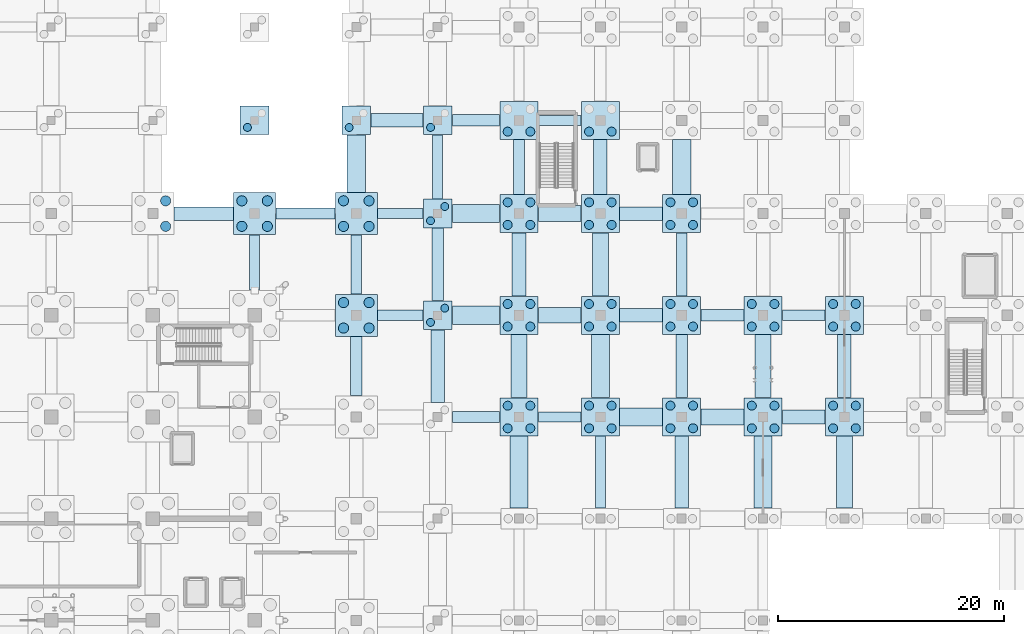
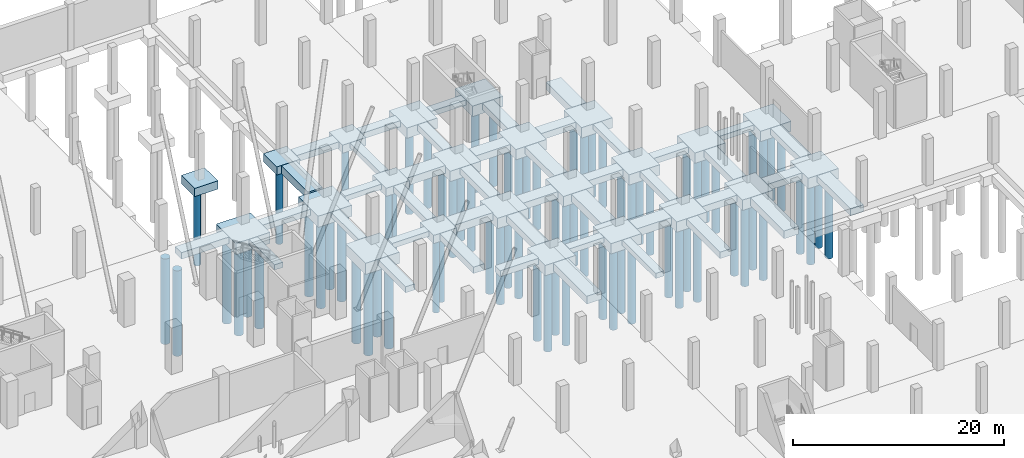
# One storey, part 7 of 42: 77 piles, 66 footings.
"""IFC4 building model written with IfcOpenShell, lengths in metres."""

from ifc_helpers import new_model, si_unit, direction, frame, origin, origin_2d, place, context, subcontext, project, spatial, rectangle, circle, extrude, material, material_profile, profile_set, type_object, element, save


model = new_model("IFC4")

# Units and contexts
model_context = context("Model", 3, precision=1e-05, world=origin(), true_north=direction((0.0, 1.0)))
body_context = subcontext(model_context, "Body", "Model", "MODEL_VIEW")
ifc_project = project(units=[si_unit("LENGTHUNIT", "METRE"), si_unit("AREAUNIT", "SQUARE_METRE"), si_unit("VOLUMEUNIT", "CUBIC_METRE"), si_unit("PLANEANGLEUNIT", "RADIAN"), si_unit("MASSUNIT", "GRAM", prefix="KILO")], contexts=[model_context])

# Site, building, storey
site_placement = place(None, origin())
site = spatial("IfcSite", under=ifc_project, at=site_placement, CompositionType="ELEMENT")
building_placement = place(site_placement, origin())
building = spatial("IfcBuilding", under=site, at=building_placement, Name="Sundgate Opera House", CompositionType="ELEMENT")
storey_placement = place(building_placement, frame((0.0, 0.0, -5.39990234375)))
storey = spatial("IfcBuildingStorey", under=building, at=storey_placement, Name="B01", CompositionType="ELEMENT", Elevation=-5.39990234375)

# Footings
ifc_material_1 = material(Name="Concrete C40/50", Category="concrete")
footing_type_1 = type_object("IfcFootingType", Name="FT-PC-2540x2540x950", PredefinedType="PILE_CAP", material=ifc_material_1)
for number, where, z_axis, x_axis, name in (
    (1, (72.0, 95.25, -0.9501953125), (0.0, 0.0, 1.0), (1.0, 0.0, 0.0), "Pile Cap F0110"),
    (2, (81.0, 95.25, -1.60009765625), (0.0, 0.0, 1.0), (1.0, 0.0, 0.0), "Pile Cap F0125"),
    (3, (88.199951171875, 78.0, -1.60009765625), (0.0, 0.0, 1.0), (1.0, 0.0, 0.0), "Pile Cap F0138"),
    (4, (88.199951171875, 87.0, -1.60009765625), (0.0, 0.0, 1.0), (1.0, 0.0, 0.0), "Pile Cap F0139"),
    (5, (88.199951171875, 95.25, -1.60009765625), (0.0, 0.0, 1.0), (1.0, 0.0, 0.0), "Pile Cap F0140"),
):
    element("IfcFooting", number, at=place(storey_placement, frame(where, z_axis=z_axis, x_axis=x_axis)), inside=storey, type_object=footing_type_1, Name=name, PredefinedType="PILE_CAP", context=body_context, shape_type="SweptSolid", body=[
        extrude(rectangle(XDim=2.5400390625, YDim=2.5400390625, at=origin_2d()), origin(), (0.0, 0.0, 1.0), 0.949951171875),
    ])
ifc_material_2 = material(Name="Concrete C40/50", Category="concrete")
footing_type_2 = type_object("IfcFootingType", Name="FT-PC-3360x3360x1200", PredefinedType="PILE_CAP", material=ifc_material_2)
for number, where, z_axis, x_axis, name in (
    (6, (95.39990234375, 69.0, -2.0), (0.0, 0.0, 1.0), (1.0, 0.0, 0.0), "Pile Cap F0152"),
    (7, (95.39990234375, 78.0, -2.0), (0.0, 0.0, 1.0), (1.0, 0.0, 0.0), "Pile Cap F0153"),
    (8, (95.39990234375, 87.0, -2.0), (0.0, 0.0, 1.0), (1.0, 0.0, 0.0), "Pile Cap F0154"),
    (9, (95.39990234375, 95.25, -2.0), (0.0, 0.0, 1.0), (1.0, 0.0, 0.0), "Pile Cap F0155"),
    (10, (102.60009765625, 69.0, -2.0), (0.0, 0.0, 1.0), (1.0, 0.0, 0.0), "Pile Cap F0167"),
    (11, (102.60009765625, 78.0, -2.0), (0.0, 0.0, 1.0), (1.0, 0.0, 0.0), "Pile Cap F0168"),
    (12, (102.60009765625, 87.0, -2.0), (0.0, 0.0, 1.0), (1.0, 0.0, 0.0), "Pile Cap F0169"),
    (13, (102.60009765625, 95.25, -2.0), (0.0, 0.0, 1.0), (1.0, 0.0, 0.0), "Pile Cap F0170"),
    (14, (109.800048828125, 69.0, -2.0), (0.0, 0.0, 1.0), (1.0, 0.0, 0.0), "Pile Cap F0182"),
    (15, (109.800048828125, 78.0, -2.0), (0.0, 0.0, 1.0), (1.0, 0.0, 0.0), "Pile Cap F0183"),
    (16, (109.800048828125, 87.0, -2.0), (0.0, 0.0, 1.0), (1.0, 0.0, 0.0), "Pile Cap F0184"),
    (17, (117.0, 69.0, -2.0), (0.0, 0.0, 1.0), (1.0, 0.0, 0.0), "Pile Cap F0197"),
    (18, (117.0, 78.0, -2.0), (0.0, 0.0, 1.0), (1.0, 0.0, 0.0), "Pile Cap F0198"),
    (19, (124.199951171875, 69.0, -2.0), (0.0, 0.0, 1.0), (1.0, 0.0, 0.0), "Pile Cap F0211"),
    (20, (124.199951171875, 78.0, -2.0), (0.0, 0.0, 1.0), (1.0, 0.0, 0.0), "Pile Cap F0212"),
):
    element("IfcFooting", number, at=place(storey_placement, frame(where, z_axis=z_axis, x_axis=x_axis)), inside=storey, type_object=footing_type_2, Name=name, PredefinedType="PILE_CAP", context=body_context, shape_type="SweptSolid", body=[
        extrude(rectangle(XDim=3.360107421875, YDim=3.360107421875, at=origin_2d()), origin(), (0.0, 0.0, 1.0), 1.199951171875),
    ])
ifc_material_3 = material(Name="Concrete C40/50", Category="concrete")
footing_type_3 = type_object("IfcFootingType", Name="FT-PC-3720x3720x1300", PredefinedType="PILE_CAP", material=ifc_material_3)
for number, where, z_axis, x_axis, name in (
    (21, (72.0, 87.0, -2.10009765625), (0.0, 0.0, 1.0), (1.0, 0.0, 0.0), "Pile Cap F0109"),
    (22, (81.0, 78.0, -2.10009765625), (0.0, 0.0, 1.0), (1.0, 0.0, 0.0), "Pile Cap F0123"),
    (23, (81.0, 87.0, -2.10009765625), (0.0, 0.0, 1.0), (1.0, 0.0, 0.0), "Pile Cap F0124"),
):
    element("IfcFooting", number, at=place(storey_placement, frame(where, z_axis=z_axis, x_axis=x_axis)), inside=storey, type_object=footing_type_3, Name=name, PredefinedType="PILE_CAP", context=body_context, shape_type="SweptSolid", body=[
        extrude(rectangle(XDim=3.719970703125, YDim=3.719970703125, at=origin_2d()), origin(), (0.0, 0.0, 1.0), 1.300048828125),
    ])
ifc_material_4 = material(Name="Concrete C35/45", Category="concrete")
footing_type_4 = type_object("IfcFootingType", Name="FT-STR-1000x700", PredefinedType="STRIP_FOOTING", material=ifc_material_4)
footing_1_placement = place(storey_placement, frame((81.0, 73.5, -1.5), z_axis=(0.0, 0.0, 1.0), x_axis=(1.0, 0.0, 0.0)))
element("IfcFooting", 24, at=footing_1_placement, inside=storey, type_object=footing_type_4, Name="Strip Footing F0402", PredefinedType="STRIP_FOOTING", context=body_context, shape_type="SweptSolid", body=[
    extrude(rectangle(XDim=1.0, YDim=5.22998046875, at=origin_2d()), origin(), (0.0, 0.0, 1.0), 0.699951171875),
])
footing_2_placement = place(storey_placement, frame((88.199951171875, 82.5, -1.35009765625), z_axis=(0.0, 0.0, 1.0), x_axis=(1.0, 0.0, 0.0)))
element("IfcFooting", 25, at=footing_2_placement, inside=storey, type_object=footing_type_4, Name="Strip Footing F0417", PredefinedType="STRIP_FOOTING", context=body_context, shape_type="SweptSolid", body=[
    extrude(rectangle(XDim=1.0, YDim=6.409912109375, at=origin_2d()), origin(), (0.0, 0.0, 1.0), 0.699951171875),
])
footing_3_placement = place(storey_placement, frame((95.39990234375, 91.125, -1.5), z_axis=(0.0, 0.0, 1.0), x_axis=(1.0, 0.0, 0.0)))
element("IfcFooting", 26, at=footing_3_placement, inside=storey, type_object=footing_type_4, Name="Strip Footing F0432", PredefinedType="STRIP_FOOTING", context=body_context, shape_type="SweptSolid", body=[
    extrude(rectangle(XDim=1.0, YDim=4.840087890625, at=origin_2d()), origin(), (0.0, 0.0, 1.0), 0.699951171875),
])
footing_4_placement = place(storey_placement, frame((109.800048828125, 73.5, -1.5), z_axis=(0.0, 0.0, 1.0), x_axis=(1.0, 0.0, 0.0)))
element("IfcFooting", 27, at=footing_4_placement, inside=storey, type_object=footing_type_4, Name="Strip Footing F0457", PredefinedType="STRIP_FOOTING", context=body_context, shape_type="SweptSolid", body=[
    extrude(rectangle(XDim=1.0, YDim=5.590087890625, at=origin_2d()), origin(), (0.0, 0.0, 1.0), 0.699951171875),
])
footing_5_placement = place(storey_placement, frame((91.594970703125, 69.0, -1.35009765625), z_axis=(0.0, 0.0, 1.0), x_axis=(1.0, 0.0, 0.0)))
element("IfcFooting", 28, at=footing_5_placement, inside=storey, type_object=footing_type_4, Name="Strip Footing F0682", PredefinedType="STRIP_FOOTING", context=body_context, shape_type="SweptSolid", body=[
    extrude(rectangle(XDim=4.199951171875, YDim=1.0, at=origin_2d()), origin(), (0.0, 0.0, 1.0), 0.699951171875),
])
footing_6_placement = place(storey_placement, frame((113.39990234375, 78.0, -1.5), z_axis=(0.0, 0.0, 1.0), x_axis=(1.0, 0.0, 0.0)))
element("IfcFooting", 29, at=footing_6_placement, inside=storey, type_object=footing_type_4, Name="Strip Footing F0702", PredefinedType="STRIP_FOOTING", context=body_context, shape_type="SweptSolid", body=[
    extrude(rectangle(XDim=3.7900390625, YDim=1.0, at=origin_2d()), origin(), (0.0, 0.0, 1.0), 0.699951171875),
])
footing_7_placement = place(storey_placement, frame((76.5, 87.0, -1.5), z_axis=(0.0, 0.0, 1.0), x_axis=(1.0, 0.0, 0.0)))
element("IfcFooting", 30, at=footing_7_placement, inside=storey, type_object=footing_type_4, Name="Strip Footing F0717", PredefinedType="STRIP_FOOTING", context=body_context, shape_type="SweptSolid", body=[
    extrude(rectangle(XDim=5.22998046875, YDim=1.0, at=origin_2d()), origin(), (0.0, 0.0, 1.0), 0.699951171875),
])
footing_8_placement = place(storey_placement, frame((91.594970703125, 95.25, -1.35009765625), z_axis=(0.0, 0.0, 1.0), x_axis=(1.0, 0.0, 0.0)))
element("IfcFooting", 31, at=footing_8_placement, inside=storey, type_object=footing_type_4, Name="Strip Footing F0737", PredefinedType="STRIP_FOOTING", context=body_context, shape_type="SweptSolid", body=[
    extrude(rectangle(XDim=4.199951171875, YDim=1.0, at=origin_2d()), origin(), (0.0, 0.0, 1.0), 0.699951171875),
])
ifc_material_5 = material(Name="Concrete C35/45", Category="concrete")
footing_type_5 = type_object("IfcFootingType", Name="FT-STR-1200x750", PredefinedType="STRIP_FOOTING", material=ifc_material_5)
footing_9_placement = place(storey_placement, frame((88.199951171875, 73.5, -1.400146484375), z_axis=(0.0, 0.0, 1.0), x_axis=(1.0, 0.0, 0.0)))
element("IfcFooting", 32, at=footing_9_placement, inside=storey, type_object=footing_type_5, Name="Strip Footing F0416", PredefinedType="STRIP_FOOTING", context=body_context, shape_type="SweptSolid", body=[
    extrude(rectangle(XDim=1.199951171875, YDim=6.409912109375, at=origin_2d()), origin(), (0.0, 0.0, 1.0), 0.75),
])
footing_10_placement = place(storey_placement, frame((95.39990234375, 82.5, -1.550048828125), z_axis=(0.0, 0.0, 1.0), x_axis=(1.0, 0.0, 0.0)))
element("IfcFooting", 33, at=footing_10_placement, inside=storey, type_object=footing_type_5, Name="Strip Footing F0431", PredefinedType="STRIP_FOOTING", context=body_context, shape_type="SweptSolid", body=[
    extrude(rectangle(XDim=1.199951171875, YDim=5.590087890625, at=origin_2d()), origin(), (0.0, 0.0, 1.0), 0.75),
])
footing_11_placement = place(storey_placement, frame((102.60009765625, 91.125, -1.550048828125), z_axis=(0.0, 0.0, 1.0), x_axis=(1.0, 0.0, 0.0)))
element("IfcFooting", 34, at=footing_11_placement, inside=storey, type_object=footing_type_5, Name="Strip Footing F0446", PredefinedType="STRIP_FOOTING", context=body_context, shape_type="SweptSolid", body=[
    extrude(rectangle(XDim=1.199951171875, YDim=4.840087890625, at=origin_2d()), origin(), (0.0, 0.0, 1.0), 0.75),
])
footing_12_placement = place(storey_placement, frame((109.800048828125, 64.110107421875, -1.550048828125), z_axis=(0.0, 0.0, 1.0), x_axis=(1.0, 0.0, 0.0)))
element("IfcFooting", 35, at=footing_12_placement, inside=storey, type_object=footing_type_5, Name="Strip Footing F0456", PredefinedType="STRIP_FOOTING", context=body_context, shape_type="SweptSolid", body=[
    extrude(rectangle(XDim=1.199951171875, YDim=6.3701171875, at=origin_2d()), origin(), (0.0, 0.0, 1.0), 0.75),
])
footing_13_placement = place(storey_placement, frame((124.199951171875, 73.5, -1.550048828125), z_axis=(0.0, 0.0, 1.0), x_axis=(1.0, 0.0, 0.0)))
element("IfcFooting", 36, at=footing_13_placement, inside=storey, type_object=footing_type_5, Name="Strip Footing F0481", PredefinedType="STRIP_FOOTING", context=body_context, shape_type="SweptSolid", body=[
    extrude(rectangle(XDim=1.199951171875, YDim=5.590087890625, at=origin_2d()), origin(), (0.0, 0.0, 1.0), 0.75),
])
for number, where, z_axis, x_axis, name in (
    (37, (120.60009765625, 69.0, -1.550048828125), (0.0, 0.0, 1.0), (1.0, 0.0, 0.0), "Strip Footing F0686"),
    (38, (106.199951171875, 78.0, -1.550048828125), (0.0, 0.0, 1.0), (1.0, 0.0, 0.0), "Strip Footing F0701"),
):
    element("IfcFooting", number, at=place(storey_placement, frame(where, z_axis=z_axis, x_axis=x_axis)), inside=storey, type_object=footing_type_5, Name=name, PredefinedType="STRIP_FOOTING", context=body_context, shape_type="SweptSolid", body=[
        extrude(rectangle(XDim=3.7900390625, YDim=1.199951171875, at=origin_2d()), origin(), (0.0, 0.0, 1.0), 0.75),
    ])
footing_14_placement = place(storey_placement, frame((67.5, 87.0, -1.550048828125), z_axis=(0.0, 0.0, 1.0), x_axis=(1.0, 0.0, 0.0)))
element("IfcFooting", 39, at=footing_14_placement, inside=storey, type_object=footing_type_5, Name="Strip Footing F0716", PredefinedType="STRIP_FOOTING", context=body_context, shape_type="SweptSolid", body=[
    extrude(rectangle(XDim=5.22998046875, YDim=1.199951171875, at=origin_2d()), origin(), (0.0, 0.0, 1.0), 0.75),
])
footing_15_placement = place(storey_placement, frame((106.199951171875, 87.0, -1.550048828125), z_axis=(0.0, 0.0, 1.0), x_axis=(1.0, 0.0, 0.0)))
element("IfcFooting", 40, at=footing_15_placement, inside=storey, type_object=footing_type_5, Name="Strip Footing F0721", PredefinedType="STRIP_FOOTING", context=body_context, shape_type="SweptSolid", body=[
    extrude(rectangle(XDim=3.7900390625, YDim=1.199951171875, at=origin_2d()), origin(), (0.0, 0.0, 1.0), 0.75),
])
footing_16_placement = place(storey_placement, frame((84.60009765625, 95.25, -1.400146484375), z_axis=(0.0, 0.0, 1.0), x_axis=(1.0, 0.0, 0.0)))
element("IfcFooting", 41, at=footing_16_placement, inside=storey, type_object=footing_type_5, Name="Strip Footing F0736", PredefinedType="STRIP_FOOTING", context=body_context, shape_type="SweptSolid", body=[
    extrude(rectangle(XDim=4.610107421875, YDim=1.199951171875, at=origin_2d()), origin(), (0.0, 0.0, 1.0), 0.75),
])
ifc_material_6 = material(Name="Concrete C35/45", Category="concrete")
footing_type_6 = type_object("IfcFootingType", Name="FT-STR-1400x800", PredefinedType="STRIP_FOOTING", material=ifc_material_6)
for number, where, z_axis, x_axis, name in (
    (42, (95.39990234375, 73.5, -1.60009765625), (0.0, 0.0, 1.0), (1.0, 0.0, 0.0), "Strip Footing F0430"),
    (43, (102.60009765625, 82.5, -1.60009765625), (0.0, 0.0, 1.0), (1.0, 0.0, 0.0), "Strip Footing F0445"),
    (44, (117.0, 73.5, -1.60009765625), (0.0, 0.0, 1.0), (1.0, 0.0, 0.0), "Strip Footing F0470"),
):
    element("IfcFooting", number, at=place(storey_placement, frame(where, z_axis=z_axis, x_axis=x_axis)), inside=storey, type_object=footing_type_6, Name=name, PredefinedType="STRIP_FOOTING", context=body_context, shape_type="SweptSolid", body=[
        extrude(rectangle(XDim=1.39990234375, YDim=5.590087890625, at=origin_2d()), origin(), (0.0, 0.0, 1.0), 0.800048828125),
    ])
footing_17_placement = place(storey_placement, frame((124.199951171875, 64.110107421875, -1.60009765625), z_axis=(0.0, 0.0, 1.0), x_axis=(1.0, 0.0, 0.0)))
element("IfcFooting", 45, at=footing_17_placement, inside=storey, type_object=footing_type_6, Name="Strip Footing F0480", PredefinedType="STRIP_FOOTING", context=body_context, shape_type="SweptSolid", body=[
    extrude(rectangle(XDim=1.39990234375, YDim=6.3701171875, at=origin_2d()), origin(), (0.0, 0.0, 1.0), 0.800048828125),
])
for number, where, z_axis, x_axis, name in (
    (46, (113.39990234375, 69.0, -1.60009765625), (0.0, 0.0, 1.0), (1.0, 0.0, 0.0), "Strip Footing F0685"),
    (47, (99.0, 78.0, -1.60009765625), (0.0, 0.0, 1.0), (1.0, 0.0, 0.0), "Strip Footing F0700"),
    (48, (99.0, 87.0, -1.60009765625), (0.0, 0.0, 1.0), (1.0, 0.0, 0.0), "Strip Footing F0720"),
):
    element("IfcFooting", number, at=place(storey_placement, frame(where, z_axis=z_axis, x_axis=x_axis)), inside=storey, type_object=footing_type_6, Name=name, PredefinedType="STRIP_FOOTING", context=body_context, shape_type="SweptSolid", body=[
        extrude(rectangle(XDim=3.7900390625, YDim=1.39990234375, at=origin_2d()), origin(), (0.0, 0.0, 1.0), 0.800048828125),
    ])
ifc_material_7 = material(Name="Concrete C35/45", Category="concrete")
footing_type_7 = type_object("IfcFootingType", Name="FT-STR-1600x900", PredefinedType="STRIP_FOOTING", material=ifc_material_7)
footing_18_placement = place(storey_placement, frame((81.0, 91.419921875, -1.550048828125), z_axis=(0.0, 0.0, 1.0), x_axis=(1.0, 0.0, 0.0)))
element("IfcFooting", 49, at=footing_18_placement, inside=storey, type_object=footing_type_7, Name="Strip Footing F0404", PredefinedType="STRIP_FOOTING", context=body_context, shape_type="SweptSolid", body=[
    extrude(rectangle(XDim=1.60009765625, YDim=5.070068359375, at=origin_2d()), origin(), (0.0, 0.0, 1.0), 0.89990234375),
])
footing_19_placement = place(storey_placement, frame((95.39990234375, 64.110107421875, -1.699951171875), z_axis=(0.0, 0.0, 1.0), x_axis=(1.0, 0.0, 0.0)))
element("IfcFooting", 50, at=footing_19_placement, inside=storey, type_object=footing_type_7, Name="Strip Footing F0429", PredefinedType="STRIP_FOOTING", context=body_context, shape_type="SweptSolid", body=[
    extrude(rectangle(XDim=1.60009765625, YDim=6.3701171875, at=origin_2d()), origin(), (0.0, 0.0, 1.0), 0.89990234375),
])
footing_20_placement = place(storey_placement, frame((102.60009765625, 73.5, -1.699951171875), z_axis=(0.0, 0.0, 1.0), x_axis=(1.0, 0.0, 0.0)))
element("IfcFooting", 51, at=footing_20_placement, inside=storey, type_object=footing_type_7, Name="Strip Footing F0444", PredefinedType="STRIP_FOOTING", context=body_context, shape_type="SweptSolid", body=[
    extrude(rectangle(XDim=1.60009765625, YDim=5.590087890625, at=origin_2d()), origin(), (0.0, 0.0, 1.0), 0.89990234375),
])
footing_21_placement = place(storey_placement, frame((109.800048828125, 91.125, -1.699951171875), z_axis=(0.0, 0.0, 1.0), x_axis=(1.0, 0.0, 0.0)))
element("IfcFooting", 52, at=footing_21_placement, inside=storey, type_object=footing_type_7, Name="Strip Footing F0459", PredefinedType="STRIP_FOOTING", context=body_context, shape_type="SweptSolid", body=[
    extrude(rectangle(XDim=1.60009765625, YDim=4.840087890625, at=origin_2d()), origin(), (0.0, 0.0, 1.0), 0.89990234375),
])
footing_22_placement = place(storey_placement, frame((117.0, 64.110107421875, -1.699951171875), z_axis=(0.0, 0.0, 1.0), x_axis=(1.0, 0.0, 0.0)))
element("IfcFooting", 53, at=footing_22_placement, inside=storey, type_object=footing_type_7, Name="Strip Footing F0469", PredefinedType="STRIP_FOOTING", context=body_context, shape_type="SweptSolid", body=[
    extrude(rectangle(XDim=1.60009765625, YDim=6.3701171875, at=origin_2d()), origin(), (0.0, 0.0, 1.0), 0.89990234375),
])
footing_23_placement = place(storey_placement, frame((106.199951171875, 69.0, -1.699951171875), z_axis=(0.0, 0.0, 1.0), x_axis=(1.0, 0.0, 0.0)))
element("IfcFooting", 54, at=footing_23_placement, inside=storey, type_object=footing_type_7, Name="Strip Footing F0684", PredefinedType="STRIP_FOOTING", context=body_context, shape_type="SweptSolid", body=[
    extrude(rectangle(XDim=3.7900390625, YDim=1.60009765625, at=origin_2d()), origin(), (0.0, 0.0, 1.0), 0.89990234375),
])
for number, where, z_axis, x_axis, name in (
    (55, (91.594970703125, 78.0, -1.550048828125), (0.0, 0.0, 1.0), (1.0, 0.0, 0.0), "Strip Footing F0699"),
    (56, (91.594970703125, 87.0, -1.550048828125), (0.0, 0.0, 1.0), (1.0, 0.0, 0.0), "Strip Footing F0719"),
):
    element("IfcFooting", number, at=place(storey_placement, frame(where, z_axis=z_axis, x_axis=x_axis)), inside=storey, type_object=footing_type_7, Name=name, PredefinedType="STRIP_FOOTING", context=body_context, shape_type="SweptSolid", body=[
        extrude(rectangle(XDim=4.199951171875, YDim=1.60009765625, at=origin_2d()), origin(), (0.0, 0.0, 1.0), 0.89990234375),
    ])
ifc_material_8 = material(Name="Concrete C35/45", Category="concrete")
footing_type_8 = type_object("IfcFootingType", Name="FT-STR-900x600", PredefinedType="STRIP_FOOTING", material=ifc_material_8)
footing_24_placement = place(storey_placement, frame((72.0, 82.675048828125, -1.400146484375), z_axis=(0.0, 0.0, 1.0), x_axis=(1.0, 0.0, 0.0)))
element("IfcFooting", 57, at=footing_24_placement, inside=storey, type_object=footing_type_8, Name="Strip Footing F0393", PredefinedType="STRIP_FOOTING", context=body_context, shape_type="SweptSolid", body=[
    extrude(rectangle(XDim=0.89990234375, YDim=4.8798828125, at=origin_2d()), origin(), (0.0, 0.0, 1.0), 0.60009765625),
])
footing_25_placement = place(storey_placement, frame((81.0, 82.5, -1.400146484375), z_axis=(0.0, 0.0, 1.0), x_axis=(1.0, 0.0, 0.0)))
element("IfcFooting", 58, at=footing_25_placement, inside=storey, type_object=footing_type_8, Name="Strip Footing F0403", PredefinedType="STRIP_FOOTING", context=body_context, shape_type="SweptSolid", body=[
    extrude(rectangle(XDim=0.89990234375, YDim=5.22998046875, at=origin_2d()), origin(), (0.0, 0.0, 1.0), 0.60009765625),
])
footing_26_placement = place(storey_placement, frame((88.199951171875, 91.125, -1.250244140625), z_axis=(0.0, 0.0, 1.0), x_axis=(1.0, 0.0, 0.0)))
element("IfcFooting", 59, at=footing_26_placement, inside=storey, type_object=footing_type_8, Name="Strip Footing F0418", PredefinedType="STRIP_FOOTING", context=body_context, shape_type="SweptSolid", body=[
    extrude(rectangle(XDim=0.89990234375, YDim=5.659912109375, at=origin_2d()), origin(), (0.0, 0.0, 1.0), 0.60009765625),
])
footing_27_placement = place(storey_placement, frame((102.60009765625, 64.110107421875, -1.400146484375), z_axis=(0.0, 0.0, 1.0), x_axis=(1.0, 0.0, 0.0)))
element("IfcFooting", 60, at=footing_27_placement, inside=storey, type_object=footing_type_8, Name="Strip Footing F0443", PredefinedType="STRIP_FOOTING", context=body_context, shape_type="SweptSolid", body=[
    extrude(rectangle(XDim=0.89990234375, YDim=6.3701171875, at=origin_2d()), origin(), (0.0, 0.0, 1.0), 0.60009765625),
])
footing_28_placement = place(storey_placement, frame((109.800048828125, 82.5, -1.400146484375), z_axis=(0.0, 0.0, 1.0), x_axis=(1.0, 0.0, 0.0)))
element("IfcFooting", 61, at=footing_28_placement, inside=storey, type_object=footing_type_8, Name="Strip Footing F0458", PredefinedType="STRIP_FOOTING", context=body_context, shape_type="SweptSolid", body=[
    extrude(rectangle(XDim=0.89990234375, YDim=5.590087890625, at=origin_2d()), origin(), (0.0, 0.0, 1.0), 0.60009765625),
])
footing_29_placement = place(storey_placement, frame((99.0, 69.0, -1.400146484375), z_axis=(0.0, 0.0, 1.0), x_axis=(1.0, 0.0, 0.0)))
element("IfcFooting", 62, at=footing_29_placement, inside=storey, type_object=footing_type_8, Name="Strip Footing F0683", PredefinedType="STRIP_FOOTING", context=body_context, shape_type="SweptSolid", body=[
    extrude(rectangle(XDim=3.7900390625, YDim=0.89990234375, at=origin_2d()), origin(), (0.0, 0.0, 1.0), 0.60009765625),
])
footing_30_placement = place(storey_placement, frame((84.89501953125, 78.0, -1.250244140625), z_axis=(0.0, 0.0, 1.0), x_axis=(1.0, 0.0, 0.0)))
element("IfcFooting", 63, at=footing_30_placement, inside=storey, type_object=footing_type_8, Name="Strip Footing F0698", PredefinedType="STRIP_FOOTING", context=body_context, shape_type="SweptSolid", body=[
    extrude(rectangle(XDim=4.02001953125, YDim=0.89990234375, at=origin_2d()), origin(), (0.0, 0.0, 1.0), 0.60009765625),
])
footing_31_placement = place(storey_placement, frame((120.60009765625, 78.0, -1.400146484375), z_axis=(0.0, 0.0, 1.0), x_axis=(1.0, 0.0, 0.0)))
element("IfcFooting", 64, at=footing_31_placement, inside=storey, type_object=footing_type_8, Name="Strip Footing F0703", PredefinedType="STRIP_FOOTING", context=body_context, shape_type="SweptSolid", body=[
    extrude(rectangle(XDim=3.7900390625, YDim=0.89990234375, at=origin_2d()), origin(), (0.0, 0.0, 1.0), 0.60009765625),
])
footing_32_placement = place(storey_placement, frame((84.89501953125, 87.0, -1.250244140625), z_axis=(0.0, 0.0, 1.0), x_axis=(1.0, 0.0, 0.0)))
element("IfcFooting", 65, at=footing_32_placement, inside=storey, type_object=footing_type_8, Name="Strip Footing F0718", PredefinedType="STRIP_FOOTING", context=body_context, shape_type="SweptSolid", body=[
    extrude(rectangle(XDim=4.02001953125, YDim=0.89990234375, at=origin_2d()), origin(), (0.0, 0.0, 1.0), 0.60009765625),
])
footing_33_placement = place(storey_placement, frame((99.0, 95.25, -1.400146484375), z_axis=(0.0, 0.0, 1.0), x_axis=(1.0, 0.0, 0.0)))
element("IfcFooting", 66, at=footing_33_placement, inside=storey, type_object=footing_type_8, Name="Strip Footing F0738", PredefinedType="STRIP_FOOTING", context=body_context, shape_type="SweptSolid", body=[
    extrude(rectangle(XDim=3.7900390625, YDim=0.89990234375, at=origin_2d()), origin(), (0.0, 0.0, 1.0), 0.60009765625),
])

# Piles
ifc_material_9 = material(Name="Concrete C40/50", Category="concrete")
ifc_material_profile_1 = material_profile(ifc_material_9, circle(Radius=0.35009765625, at=origin_2d()), Name="PILE D700")
ifc_profile_set_1 = profile_set([ifc_material_profile_1], Name="Concrete C40/50")
pile_type_1 = type_object("IfcPileType", Name="PL-700", PredefinedType="BORED", material=ifc_profile_set_1)
for number, where, z_axis, x_axis, name in (
    (67, (71.3701171875, 94.6201171875, -0.85009765625), (0.0, 0.0, -1.0), (1.0, 0.0, 0.0), "Rock-Socketed Pile P0303"),
    (68, (80.3701171875, 94.6201171875, -1.5), (0.0, 0.0, -1.0), (1.0, 0.0, 0.0), "Rock-Socketed Pile P0347"),
    (69, (87.570068359375, 77.3701171875, -1.5), (0.0, 0.0, -1.0), (1.0, 0.0, 0.0), "Rock-Socketed Pile P0373"),
    (70, (88.830078125, 78.6298828125, -1.5), (0.0, 0.0, -1.0), (1.0, 0.0, 0.0), "Rock-Socketed Pile P0374"),
    (71, (87.570068359375, 86.3701171875, -1.5), (0.0, 0.0, -1.0), (1.0, 0.0, 0.0), "Rock-Socketed Pile P0375"),
    (72, (88.830078125, 87.6298828125, -1.5), (0.0, 0.0, -1.0), (1.0, 0.0, 0.0), "Rock-Socketed Pile P0376"),
    (73, (87.570068359375, 94.6201171875, -1.5), (0.0, 0.0, -1.0), (1.0, 0.0, 0.0), "Rock-Socketed Pile P0377"),
):
    element("IfcPile", number, at=place(storey_placement, frame(where, z_axis=z_axis, x_axis=x_axis)), inside=storey, type_object=pile_type_1, Name=name, PredefinedType="BORED", context=body_context, shape_type="SweptSolid", body=[
        extrude(circle(Radius=0.35009765625, at=origin_2d()), origin(), (0.0, 0.0, 1.0), 8.5),
    ])
ifc_material_10 = material(Name="Concrete C40/50", Category="concrete")
ifc_material_profile_2 = material_profile(ifc_material_10, circle(Radius=0.39990234375, at=origin_2d()), Name="PILE D800")
ifc_profile_set_2 = profile_set([ifc_material_profile_2], Name="Concrete C40/50")
pile_type_2 = type_object("IfcPileType", Name="PL-800", PredefinedType="BORED", material=ifc_profile_set_2)
for number, where, z_axis, x_axis, name in (
    (74, (94.39990234375, 68.0, -1.900146484375), (0.0, 0.0, -1.0), (1.0, 0.0, 0.0), "Rock-Socketed Pile P0409"),
    (75, (94.39990234375, 70.0, -1.900146484375), (0.0, 0.0, -1.0), (1.0, 0.0, 0.0), "Rock-Socketed Pile P0410"),
    (76, (96.39990234375, 68.0, -1.900146484375), (0.0, 0.0, -1.0), (1.0, 0.0, 0.0), "Rock-Socketed Pile P0411"),
    (77, (96.39990234375, 70.0, -1.900146484375), (0.0, 0.0, -1.0), (1.0, 0.0, 0.0), "Rock-Socketed Pile P0412"),
    (78, (94.39990234375, 77.0, -1.900146484375), (0.0, 0.0, -1.0), (1.0, 0.0, 0.0), "Rock-Socketed Pile P0413"),
    (79, (94.39990234375, 79.0, -1.900146484375), (0.0, 0.0, -1.0), (1.0, 0.0, 0.0), "Rock-Socketed Pile P0414"),
    (80, (96.39990234375, 77.0, -1.900146484375), (0.0, 0.0, -1.0), (1.0, 0.0, 0.0), "Rock-Socketed Pile P0415"),
    (81, (96.39990234375, 79.0, -1.900146484375), (0.0, 0.0, -1.0), (1.0, 0.0, 0.0), "Rock-Socketed Pile P0416"),
    (82, (94.39990234375, 86.0, -1.900146484375), (0.0, 0.0, -1.0), (1.0, 0.0, 0.0), "Rock-Socketed Pile P0417"),
    (83, (94.39990234375, 88.0, -1.900146484375), (0.0, 0.0, -1.0), (1.0, 0.0, 0.0), "Rock-Socketed Pile P0418"),
    (84, (96.39990234375, 86.0, -1.900146484375), (0.0, 0.0, -1.0), (1.0, 0.0, 0.0), "Rock-Socketed Pile P0419"),
    (85, (96.39990234375, 88.0, -1.900146484375), (0.0, 0.0, -1.0), (1.0, 0.0, 0.0), "Rock-Socketed Pile P0420"),
    (86, (94.39990234375, 94.25, -1.900146484375), (0.0, 0.0, -1.0), (1.0, 0.0, 0.0), "Rock-Socketed Pile P0421"),
    (87, (96.39990234375, 94.25, -1.900146484375), (0.0, 0.0, -1.0), (1.0, 0.0, 0.0), "Rock-Socketed Pile P0423"),
    (88, (101.60009765625, 68.0, -1.900146484375), (0.0, 0.0, -1.0), (1.0, 0.0, 0.0), "Rock-Socketed Pile P0457"),
    (89, (101.60009765625, 70.0, -1.900146484375), (0.0, 0.0, -1.0), (1.0, 0.0, 0.0), "Rock-Socketed Pile P0458"),
    (90, (103.60009765625, 68.0, -1.900146484375), (0.0, 0.0, -1.0), (1.0, 0.0, 0.0), "Rock-Socketed Pile P0459"),
    (91, (103.60009765625, 70.0, -1.900146484375), (0.0, 0.0, -1.0), (1.0, 0.0, 0.0), "Rock-Socketed Pile P0460"),
    (92, (101.60009765625, 77.0, -1.900146484375), (0.0, 0.0, -1.0), (1.0, 0.0, 0.0), "Rock-Socketed Pile P0461"),
    (93, (101.60009765625, 79.0, -1.900146484375), (0.0, 0.0, -1.0), (1.0, 0.0, 0.0), "Rock-Socketed Pile P0462"),
    (94, (103.60009765625, 77.0, -1.900146484375), (0.0, 0.0, -1.0), (1.0, 0.0, 0.0), "Rock-Socketed Pile P0463"),
    (95, (103.60009765625, 79.0, -1.900146484375), (0.0, 0.0, -1.0), (1.0, 0.0, 0.0), "Rock-Socketed Pile P0464"),
    (96, (101.60009765625, 86.0, -1.900146484375), (0.0, 0.0, -1.0), (1.0, 0.0, 0.0), "Rock-Socketed Pile P0465"),
    (97, (101.60009765625, 88.0, -1.900146484375), (0.0, 0.0, -1.0), (1.0, 0.0, 0.0), "Rock-Socketed Pile P0466"),
    (98, (103.60009765625, 86.0, -1.900146484375), (0.0, 0.0, -1.0), (1.0, 0.0, 0.0), "Rock-Socketed Pile P0467"),
    (99, (103.60009765625, 88.0, -1.900146484375), (0.0, 0.0, -1.0), (1.0, 0.0, 0.0), "Rock-Socketed Pile P0468"),
    (100, (101.60009765625, 94.25, -1.900146484375), (0.0, 0.0, -1.0), (1.0, 0.0, 0.0), "Rock-Socketed Pile P0469"),
    (101, (103.60009765625, 94.25, -1.900146484375), (0.0, 0.0, -1.0), (1.0, 0.0, 0.0), "Rock-Socketed Pile P0471"),
    (102, (108.800048828125, 68.0, -1.900146484375), (0.0, 0.0, -1.0), (1.0, 0.0, 0.0), "Rock-Socketed Pile P0505"),
    (103, (108.800048828125, 70.0, -1.900146484375), (0.0, 0.0, -1.0), (1.0, 0.0, 0.0), "Rock-Socketed Pile P0506"),
    (104, (110.800048828125, 68.0, -1.900146484375), (0.0, 0.0, -1.0), (1.0, 0.0, 0.0), "Rock-Socketed Pile P0507"),
    (105, (110.800048828125, 70.0, -1.900146484375), (0.0, 0.0, -1.0), (1.0, 0.0, 0.0), "Rock-Socketed Pile P0508"),
    (106, (108.800048828125, 77.0, -1.900146484375), (0.0, 0.0, -1.0), (1.0, 0.0, 0.0), "Rock-Socketed Pile P0509"),
    (107, (108.800048828125, 79.0, -1.900146484375), (0.0, 0.0, -1.0), (1.0, 0.0, 0.0), "Rock-Socketed Pile P0510"),
    (108, (110.800048828125, 77.0, -1.900146484375), (0.0, 0.0, -1.0), (1.0, 0.0, 0.0), "Rock-Socketed Pile P0511"),
    (109, (110.800048828125, 79.0, -1.900146484375), (0.0, 0.0, -1.0), (1.0, 0.0, 0.0), "Rock-Socketed Pile P0512"),
    (110, (108.800048828125, 86.0, -1.900146484375), (0.0, 0.0, -1.0), (1.0, 0.0, 0.0), "Rock-Socketed Pile P0513"),
    (111, (108.800048828125, 88.0, -1.900146484375), (0.0, 0.0, -1.0), (1.0, 0.0, 0.0), "Rock-Socketed Pile P0514"),
    (112, (110.800048828125, 86.0, -1.900146484375), (0.0, 0.0, -1.0), (1.0, 0.0, 0.0), "Rock-Socketed Pile P0515"),
    (113, (110.800048828125, 88.0, -1.900146484375), (0.0, 0.0, -1.0), (1.0, 0.0, 0.0), "Rock-Socketed Pile P0516"),
    (114, (116.0, 68.0, -1.900146484375), (0.0, 0.0, -1.0), (1.0, 0.0, 0.0), "Rock-Socketed Pile P0553"),
    (115, (116.0, 70.0, -1.900146484375), (0.0, 0.0, -1.0), (1.0, 0.0, 0.0), "Rock-Socketed Pile P0554"),
    (116, (118.0, 68.0, -1.900146484375), (0.0, 0.0, -1.0), (1.0, 0.0, 0.0), "Rock-Socketed Pile P0555"),
    (117, (118.0, 70.0, -1.900146484375), (0.0, 0.0, -1.0), (1.0, 0.0, 0.0), "Rock-Socketed Pile P0556"),
    (118, (116.0, 77.0, -1.900146484375), (0.0, 0.0, -1.0), (1.0, 0.0, 0.0), "Rock-Socketed Pile P0557"),
    (119, (116.0, 79.0, -1.900146484375), (0.0, 0.0, -1.0), (1.0, 0.0, 0.0), "Rock-Socketed Pile P0558"),
    (120, (118.0, 77.0, -1.900146484375), (0.0, 0.0, -1.0), (1.0, 0.0, 0.0), "Rock-Socketed Pile P0559"),
    (121, (118.0, 79.0, -1.900146484375), (0.0, 0.0, -1.0), (1.0, 0.0, 0.0), "Rock-Socketed Pile P0560"),
    (122, (123.199951171875, 68.0, -1.900146484375), (0.0, 0.0, -1.0), (1.0, 0.0, 0.0), "Rock-Socketed Pile P0599"),
    (123, (123.199951171875, 70.0, -1.900146484375), (0.0, 0.0, -1.0), (1.0, 0.0, 0.0), "Rock-Socketed Pile P0600"),
    (124, (125.199951171875, 68.0, -1.900146484375), (0.0, 0.0, -1.0), (1.0, 0.0, 0.0), "Rock-Socketed Pile P0601"),
    (125, (125.199951171875, 70.0, -1.900146484375), (0.0, 0.0, -1.0), (1.0, 0.0, 0.0), "Rock-Socketed Pile P0602"),
    (126, (123.199951171875, 77.0, -1.900146484375), (0.0, 0.0, -1.0), (1.0, 0.0, 0.0), "Rock-Socketed Pile P0603"),
    (127, (123.199951171875, 79.0, -1.900146484375), (0.0, 0.0, -1.0), (1.0, 0.0, 0.0), "Rock-Socketed Pile P0604"),
    (128, (125.199951171875, 77.0, -1.900146484375), (0.0, 0.0, -1.0), (1.0, 0.0, 0.0), "Rock-Socketed Pile P0605"),
    (129, (125.199951171875, 79.0, -1.900146484375), (0.0, 0.0, -1.0), (1.0, 0.0, 0.0), "Rock-Socketed Pile P0606"),
):
    element("IfcPile", number, at=place(storey_placement, frame(where, z_axis=z_axis, x_axis=x_axis)), inside=storey, type_object=pile_type_2, Name=name, PredefinedType="BORED", context=body_context, shape_type="SweptSolid", body=[
        extrude(circle(Radius=0.39990234375, at=origin_2d()), origin(), (0.0, 0.0, 1.0), 9.300048828125),
    ])
ifc_material_11 = material(Name="Concrete C40/50", Category="concrete")
ifc_material_profile_3 = material_profile(ifc_material_11, circle(Radius=0.449951171875, at=origin_2d()), Name="PILE D900")
ifc_profile_set_3 = profile_set([ifc_material_profile_3], Name="Concrete C40/50")
pile_type_3 = type_object("IfcPileType", Name="PL-900", PredefinedType="BORED", material=ifc_profile_set_3)
for number, where, z_axis, x_axis, name in (
    (130, (64.1298828125, 85.8701171875, -2.0), (0.0, 0.0, -1.0), (1.0, 0.0, 0.0), "Rock-Socketed Pile P0265"),
    (131, (64.1298828125, 88.1298828125, -2.0), (0.0, 0.0, -1.0), (1.0, 0.0, 0.0), "Rock-Socketed Pile P0266"),
    (132, (70.8701171875, 85.8701171875, -2.0), (0.0, 0.0, -1.0), (1.0, 0.0, 0.0), "Rock-Socketed Pile P0299"),
    (133, (70.8701171875, 88.1298828125, -2.0), (0.0, 0.0, -1.0), (1.0, 0.0, 0.0), "Rock-Socketed Pile P0300"),
    (134, (73.1298828125, 85.8701171875, -2.0), (0.0, 0.0, -1.0), (1.0, 0.0, 0.0), "Rock-Socketed Pile P0301"),
    (135, (73.1298828125, 88.1298828125, -2.0), (0.0, 0.0, -1.0), (1.0, 0.0, 0.0), "Rock-Socketed Pile P0302"),
    (136, (79.8701171875, 76.8701171875, -2.0), (0.0, 0.0, -1.0), (1.0, 0.0, 0.0), "Rock-Socketed Pile P0339"),
    (137, (79.8701171875, 79.1298828125, -2.0), (0.0, 0.0, -1.0), (1.0, 0.0, 0.0), "Rock-Socketed Pile P0340"),
    (138, (82.1298828125, 76.8701171875, -2.0), (0.0, 0.0, -1.0), (1.0, 0.0, 0.0), "Rock-Socketed Pile P0341"),
    (139, (82.1298828125, 79.1298828125, -2.0), (0.0, 0.0, -1.0), (1.0, 0.0, 0.0), "Rock-Socketed Pile P0342"),
    (140, (79.8701171875, 85.8701171875, -2.0), (0.0, 0.0, -1.0), (1.0, 0.0, 0.0), "Rock-Socketed Pile P0343"),
    (141, (79.8701171875, 88.1298828125, -2.0), (0.0, 0.0, -1.0), (1.0, 0.0, 0.0), "Rock-Socketed Pile P0344"),
    (142, (82.1298828125, 85.8701171875, -2.0), (0.0, 0.0, -1.0), (1.0, 0.0, 0.0), "Rock-Socketed Pile P0345"),
    (143, (82.1298828125, 88.1298828125, -2.0), (0.0, 0.0, -1.0), (1.0, 0.0, 0.0), "Rock-Socketed Pile P0346"),
):
    element("IfcPile", number, at=place(storey_placement, frame(where, z_axis=z_axis, x_axis=x_axis)), inside=storey, type_object=pile_type_3, Name=name, PredefinedType="BORED", context=body_context, shape_type="SweptSolid", body=[
        extrude(circle(Radius=0.449951171875, at=origin_2d()), origin(), (0.0, 0.0, 1.0), 9.89990234375),
    ])

save(model, "model.ifc")
